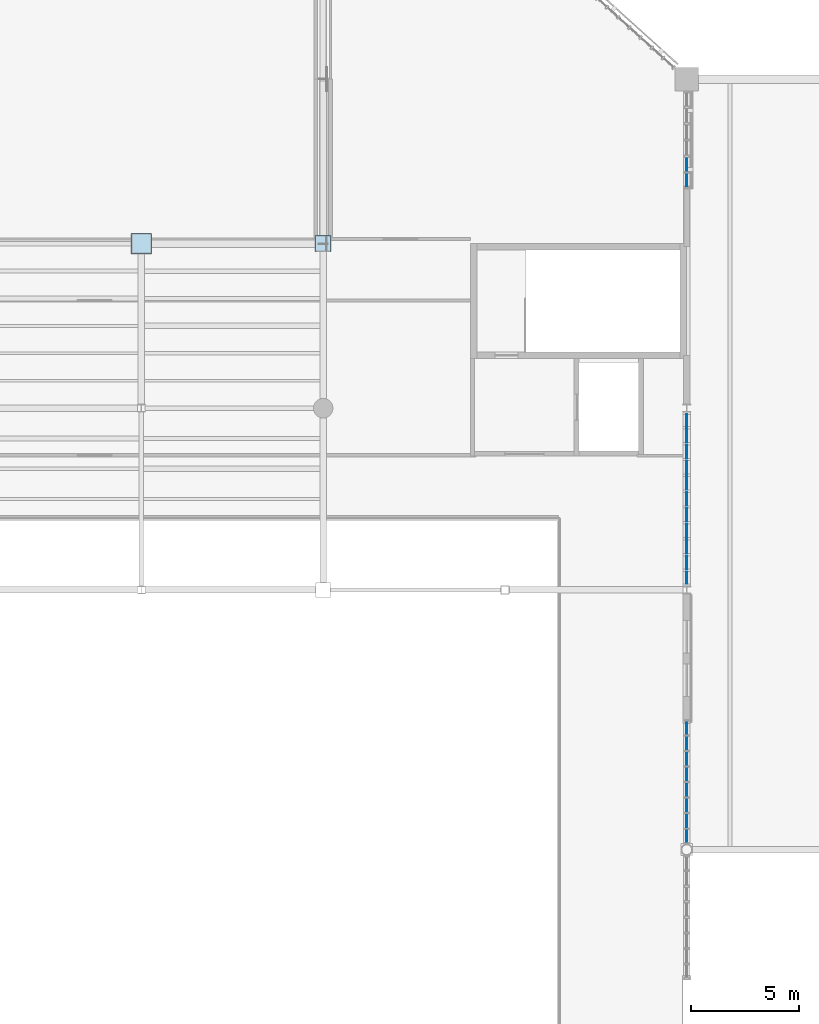
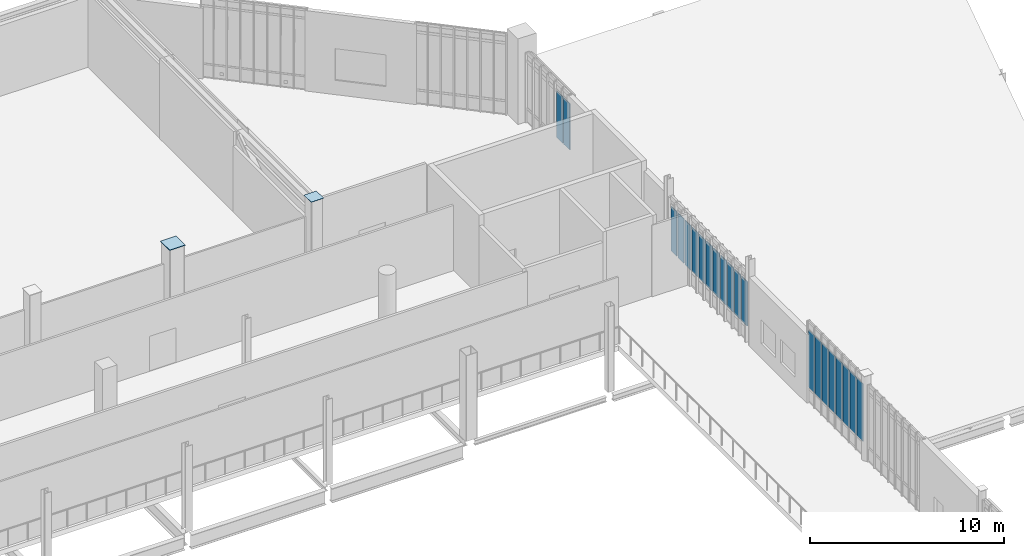
# One storey, part 82 of 135: 23 plates, 3 elements without a shape of their own.
"""IFC4 building model written with IfcOpenShell, lengths in metres."""

from ifc_helpers import new_model, si_unit, direction, frame, origin, origin_2d, place, context, subcontext, project, spatial, rectangle, extrude, material, layer, layer_set, type_object, element, aggregate, save


model = new_model("IFC4")

# Units and contexts
model_context = context("Model", 3, precision=1e-05, world=origin(), true_north=direction((0.0, 1.0)))
body_context = subcontext(model_context, "Body", "Model", "MODEL_VIEW")
ifc_project = project(units=[si_unit("LENGTHUNIT", "METRE"), si_unit("AREAUNIT", "SQUARE_METRE"), si_unit("VOLUMEUNIT", "CUBIC_METRE"), si_unit("PLANEANGLEUNIT", "RADIAN"), si_unit("MASSUNIT", "GRAM", prefix="KILO")], contexts=[model_context])

# Site, building, storey
site_placement = place(None, origin())
site = spatial("IfcSite", under=ifc_project, at=site_placement, CompositionType="ELEMENT")
building_placement = place(site_placement, origin())
building = spatial("IfcBuilding", under=site, at=building_placement, Name="Larkvane Passage Sports Hall", CompositionType="ELEMENT")
storey_placement = place(building_placement, frame((0.0, 0.0, 16.800048828125)))
storey = spatial("IfcBuildingStorey", under=building, at=storey_placement, Name="L03", CompositionType="ELEMENT", Elevation=16.800048828125)

# Curtain wall, plates
ifc_material_1 = material(Name="Thermally broken aluminium and low-E glazing", Category="aluminium")
curtain_wall_type_1 = type_object("IfcCurtainWallType", Name="CW-UNIT-COURT", PredefinedType="USERDEFINED", material=ifc_material_1)
curtain_wall_1_placement = place(storey_placement, origin())
curtain_wall_1 = element("IfcCurtainWall", 1, at=curtain_wall_1_placement, inside=storey, type_object=curtain_wall_type_1, Name="Curtain wall CW5-L03-144", ObjectType="UNITISED CURTAIN WALL", PredefinedType="USERDEFINED")
ifc_material_2 = material(Name="Solar-control low-E double glazing", Category="glass")
ifc_layer_1 = layer(ifc_material_2, 0.028076171875)
ifc_layer_set_1 = layer_set([ifc_layer_1], Name="Solar-control low-E double glazing")
plate_type_1 = type_object("IfcPlateType", Name="CWP-VIS-28", PredefinedType="CURTAIN_PANEL", material=ifc_layer_set_1)
plate_1_placement = place(storey_placement, frame((93.60009765625, 69.224365234375, 0.88232421875), z_axis=(0.0, 0.0, 1.0), x_axis=(0.0, -1.0, 0.0)))
plate_1 = element("IfcPlate", 2, at=plate_1_placement, type_object=plate_type_1, Name="CW-01 panel 1.2", PredefinedType="CURTAIN_PANEL", context=body_context, shape_type="SweptSolid", body=[
    extrude(rectangle(XDim=0.621337890625, YDim=0.028076171875, at=origin_2d()), origin(), (0.0, 0.0, 1.0), 3.635009765625),
])
plate_2_placement = place(storey_placement, frame((93.60009765625, 68.52197265625, 0.88232421875), z_axis=(0.0, 0.0, 1.0), x_axis=(0.0, -1.0, 0.0)))
plate_2 = element("IfcPlate", 3, at=plate_2_placement, type_object=plate_type_1, Name="CW-01 panel 2.2", PredefinedType="CURTAIN_PANEL", context=body_context, shape_type="SweptSolid", body=[
    extrude(rectangle(XDim=0.65380859375, YDim=0.028076171875, at=origin_2d()), origin(), (0.0, 0.0, 1.0), 3.635009765625),
])
plate_3_placement = place(storey_placement, frame((93.60009765625, 67.80322265625, 0.88232421875), z_axis=(0.0, 0.0, 1.0), x_axis=(0.0, -1.0, 0.0)))
plate_3 = element("IfcPlate", 4, at=plate_3_placement, type_object=plate_type_1, Name="CW-01 panel 3.2", PredefinedType="CURTAIN_PANEL", context=body_context, shape_type="SweptSolid", body=[
    extrude(rectangle(XDim=0.65380859375, YDim=0.028076171875, at=origin_2d()), origin(), (0.0, 0.0, 1.0), 3.635009765625),
])
plate_4_placement = place(storey_placement, frame((93.60009765625, 67.08447265625, 0.88232421875), z_axis=(0.0, 0.0, 1.0), x_axis=(0.0, -1.0, 0.0)))
plate_4 = element("IfcPlate", 5, at=plate_4_placement, type_object=plate_type_1, Name="CW-01 panel 4.2", PredefinedType="CURTAIN_PANEL", context=body_context, shape_type="SweptSolid", body=[
    extrude(rectangle(XDim=0.65380859375, YDim=0.028076171875, at=origin_2d()), origin(), (0.0, 0.0, 1.0), 3.635009765625),
])
plate_5_placement = place(storey_placement, frame((93.60009765625, 66.36572265625, 0.88232421875), z_axis=(0.0, 0.0, 1.0), x_axis=(0.0, -1.0, 0.0)))
plate_5 = element("IfcPlate", 6, at=plate_5_placement, type_object=plate_type_1, Name="CW-01 panel 5.2", PredefinedType="CURTAIN_PANEL", context=body_context, shape_type="SweptSolid", body=[
    extrude(rectangle(XDim=0.65380859375, YDim=0.028076171875, at=origin_2d()), origin(), (0.0, 0.0, 1.0), 3.635009765625),
])
plate_6_placement = place(storey_placement, frame((93.60009765625, 65.64697265625, 0.88232421875), z_axis=(0.0, 0.0, 1.0), x_axis=(0.0, -1.0, 0.0)))
plate_6 = element("IfcPlate", 7, at=plate_6_placement, type_object=plate_type_1, Name="CW-01 panel 6.2", PredefinedType="CURTAIN_PANEL", context=body_context, shape_type="SweptSolid", body=[
    extrude(rectangle(XDim=0.65380859375, YDim=0.028076171875, at=origin_2d()), origin(), (0.0, 0.0, 1.0), 3.635009765625),
])
plate_7_placement = place(storey_placement, frame((93.60009765625, 64.92822265625, 0.88232421875), z_axis=(0.0, 0.0, 1.0), x_axis=(0.0, -1.0, 0.0)))
plate_7 = element("IfcPlate", 8, at=plate_7_placement, type_object=plate_type_1, Name="CW-01 panel 7.2", PredefinedType="CURTAIN_PANEL", context=body_context, shape_type="SweptSolid", body=[
    extrude(rectangle(XDim=0.65380859375, YDim=0.028076171875, at=origin_2d()), origin(), (0.0, 0.0, 1.0), 3.635009765625),
])
plate_8_placement = place(storey_placement, frame((93.60009765625, 64.2255859375, 0.88232421875), z_axis=(0.0, 0.0, 1.0), x_axis=(0.0, -1.0, 0.0)))
plate_8 = element("IfcPlate", 9, at=plate_8_placement, type_object=plate_type_1, Name="CW-01 panel 8.2", PredefinedType="CURTAIN_PANEL", context=body_context, shape_type="SweptSolid", body=[
    extrude(rectangle(XDim=0.621337890625, YDim=0.028076171875, at=origin_2d()), origin(), (0.0, 0.0, 1.0), 3.635009765625),
])
aggregate(curtain_wall_1, [plate_1, plate_2, plate_3, plate_4, plate_5, plate_6, plate_7, plate_8])

curtain_wall_type_2 = type_object("IfcCurtainWallType", Name="CW-STICK-FOYER", PredefinedType="USERDEFINED", material=ifc_material_1)
curtain_wall_2_placement = place(storey_placement, origin())
curtain_wall_2 = element("IfcCurtainWall", 10, at=curtain_wall_2_placement, inside=storey, type_object=curtain_wall_type_2, Name="Curtain wall CW5-L03-142", ObjectType="STICK CURTAIN WALL", PredefinedType="USERDEFINED")
ifc_material_3 = material(Name="High-impact court low-E glazing", Category="glass")
ifc_layer_2 = layer(ifc_material_3, 0.035888671875)
ifc_layer_set_2 = layer_set([ifc_layer_2], Name="High-impact court low-E glazing")
plate_type_2 = type_object("IfcPlateType", Name="CWP-VIS-36", PredefinedType="CURTAIN_PANEL", material=ifc_layer_set_2)
plate_9_placement = place(storey_placement, frame((93.60009765625, 95.263427734375, 0.89013671875), z_axis=(0.0, 0.0, 1.0), x_axis=(0.0, -1.0, 0.0)))
plate_9 = element("IfcPlate", 11, at=plate_9_placement, type_object=plate_type_2, Name="CW-03 panel 5.2", PredefinedType="CURTAIN_PANEL", context=body_context, shape_type="SweptSolid", body=[
    extrude(rectangle(XDim=0.67333984375, YDim=0.035888671875, at=origin_2d()), origin(), (0.0, 0.0, 1.0), 2.927978515625),
])
plate_10_placement = place(storey_placement, frame((93.60009765625, 94.530029296875, 0.89013671875), z_axis=(0.0, 0.0, 1.0), x_axis=(0.0, -1.0, 0.0)))
plate_10 = element("IfcPlate", 12, at=plate_10_placement, type_object=plate_type_2, Name="CW-03 panel 6.2", PredefinedType="CURTAIN_PANEL", context=body_context, shape_type="SweptSolid", body=[
    extrude(rectangle(XDim=0.633544921875, YDim=0.035888671875, at=origin_2d()), origin(), (0.0, 0.0, 1.0), 2.927978515625),
])
aggregate(curtain_wall_2, [plate_9, plate_10])

curtain_wall_type_3 = type_object("IfcCurtainWallType", Name="CW-CLINIC", PredefinedType="USERDEFINED", material=ifc_material_1)
curtain_wall_3_placement = place(storey_placement, origin())
curtain_wall_3 = element("IfcCurtainWall", 13, at=curtain_wall_3_placement, inside=storey, type_object=curtain_wall_type_3, Name="Curtain wall CW5-L03-143", ObjectType="UNITISED CURTAIN WALL", PredefinedType="USERDEFINED")
ifc_material_4 = material(Name="Triple-laminated typhoon glazing", Category="glass")
ifc_layer_3 = layer(ifc_material_4, 0.0419921875)
ifc_layer_set_3 = layer_set([ifc_layer_3], Name="Triple-laminated typhoon glazing")
plate_type_3 = type_object("IfcPlateType", Name="CWP-VIS-42", PredefinedType="CURTAIN_PANEL", material=ifc_layer_set_3)
plate_11_placement = place(storey_placement, frame((93.60009765625, 83.435302734375, 0.90478515625), z_axis=(0.0, 0.0, 1.0), x_axis=(0.0, -1.0, 0.0)))
plate_11 = element("IfcPlate", 14, at=plate_11_placement, type_object=plate_type_3, Name="CW-05 panel 1.2", PredefinedType="CURTAIN_PANEL", context=body_context, shape_type="SweptSolid", body=[
    extrude(rectangle(XDim=0.567626953125, YDim=0.0419921875, at=origin_2d()), origin(), (0.0, 0.0, 1.0), 2.805908203125),
])
plate_12_placement = place(storey_placement, frame((93.60009765625, 82.730224609375, 0.90478515625), z_axis=(0.0, 0.0, 1.0), x_axis=(0.0, -1.0, 0.0)))
plate_12 = element("IfcPlate", 15, at=plate_12_placement, type_object=plate_type_3, Name="CW-05 panel 2.2", PredefinedType="CURTAIN_PANEL", context=body_context, shape_type="SweptSolid", body=[
    extrude(rectangle(XDim=0.62255859375, YDim=0.0419921875, at=origin_2d()), origin(), (0.0, 0.0, 1.0), 2.805908203125),
])
plate_13_placement = place(storey_placement, frame((93.60009765625, 81.99755859375, 0.90478515625), z_axis=(0.0, 0.0, 1.0), x_axis=(0.0, -1.0, 0.0)))
plate_13 = element("IfcPlate", 16, at=plate_13_placement, type_object=plate_type_3, Name="CW-05 panel 3.2", PredefinedType="CURTAIN_PANEL", context=body_context, shape_type="SweptSolid", body=[
    extrude(rectangle(XDim=0.62255859375, YDim=0.0419921875, at=origin_2d()), origin(), (0.0, 0.0, 1.0), 2.805908203125),
])
plate_14_placement = place(storey_placement, frame((93.60009765625, 81.26513671875, 0.90478515625), z_axis=(0.0, 0.0, 1.0), x_axis=(0.0, -1.0, 0.0)))
plate_14 = element("IfcPlate", 17, at=plate_14_placement, type_object=plate_type_3, Name="CW-05 panel 4.2", PredefinedType="CURTAIN_PANEL", context=body_context, shape_type="SweptSolid", body=[
    extrude(rectangle(XDim=0.62255859375, YDim=0.0419921875, at=origin_2d()), origin(), (0.0, 0.0, 1.0), 2.805908203125),
])
plate_15_placement = place(storey_placement, frame((93.60009765625, 80.532470703125, 0.90478515625), z_axis=(0.0, 0.0, 1.0), x_axis=(0.0, -1.0, 0.0)))
plate_15 = element("IfcPlate", 18, at=plate_15_placement, type_object=plate_type_3, Name="CW-05 panel 5.2", PredefinedType="CURTAIN_PANEL", context=body_context, shape_type="SweptSolid", body=[
    extrude(rectangle(XDim=0.62255859375, YDim=0.0419921875, at=origin_2d()), origin(), (0.0, 0.0, 1.0), 2.805908203125),
])
plate_16_placement = place(storey_placement, frame((93.60009765625, 79.800048828125, 0.90478515625), z_axis=(0.0, 0.0, 1.0), x_axis=(0.0, -1.0, 0.0)))
plate_16 = element("IfcPlate", 19, at=plate_16_placement, type_object=plate_type_3, Name="CW-05 panel 6.2", PredefinedType="CURTAIN_PANEL", context=body_context, shape_type="SweptSolid", body=[
    extrude(rectangle(XDim=0.62255859375, YDim=0.0419921875, at=origin_2d()), origin(), (0.0, 0.0, 1.0), 2.805908203125),
])
plate_17_placement = place(storey_placement, frame((93.60009765625, 79.0673828125, 0.90478515625), z_axis=(0.0, 0.0, 1.0), x_axis=(0.0, -1.0, 0.0)))
plate_17 = element("IfcPlate", 20, at=plate_17_placement, type_object=plate_type_3, Name="CW-05 panel 7.2", PredefinedType="CURTAIN_PANEL", context=body_context, shape_type="SweptSolid", body=[
    extrude(rectangle(XDim=0.62255859375, YDim=0.0419921875, at=origin_2d()), origin(), (0.0, 0.0, 1.0), 2.805908203125),
])
plate_18_placement = place(storey_placement, frame((93.60009765625, 78.3349609375, 0.90478515625), z_axis=(0.0, 0.0, 1.0), x_axis=(0.0, -1.0, 0.0)))
plate_18 = element("IfcPlate", 21, at=plate_18_placement, type_object=plate_type_3, Name="CW-05 panel 8.2", PredefinedType="CURTAIN_PANEL", context=body_context, shape_type="SweptSolid", body=[
    extrude(rectangle(XDim=0.62255859375, YDim=0.0419921875, at=origin_2d()), origin(), (0.0, 0.0, 1.0), 2.805908203125),
])
plate_19_placement = place(storey_placement, frame((93.60009765625, 77.602294921875, 0.90478515625), z_axis=(0.0, 0.0, 1.0), x_axis=(0.0, -1.0, 0.0)))
plate_19 = element("IfcPlate", 22, at=plate_19_placement, type_object=plate_type_3, Name="CW-05 panel 9.2", PredefinedType="CURTAIN_PANEL", context=body_context, shape_type="SweptSolid", body=[
    extrude(rectangle(XDim=0.62255859375, YDim=0.0419921875, at=origin_2d()), origin(), (0.0, 0.0, 1.0), 2.805908203125),
])
plate_20_placement = place(storey_placement, frame((93.60009765625, 76.869873046875, 0.90478515625), z_axis=(0.0, 0.0, 1.0), x_axis=(0.0, -1.0, 0.0)))
plate_20 = element("IfcPlate", 23, at=plate_20_placement, type_object=plate_type_3, Name="CW-05 panel 10.2", PredefinedType="CURTAIN_PANEL", context=body_context, shape_type="SweptSolid", body=[
    extrude(rectangle(XDim=0.62255859375, YDim=0.0419921875, at=origin_2d()), origin(), (0.0, 0.0, 1.0), 2.805908203125),
])
plate_21_placement = place(storey_placement, frame((93.60009765625, 76.164794921875, 0.90478515625), z_axis=(0.0, 0.0, 1.0), x_axis=(0.0, -1.0, 0.0)))
plate_21 = element("IfcPlate", 24, at=plate_21_placement, type_object=plate_type_3, Name="CW-05 panel 11.2", PredefinedType="CURTAIN_PANEL", context=body_context, shape_type="SweptSolid", body=[
    extrude(rectangle(XDim=0.567626953125, YDim=0.0419921875, at=origin_2d()), origin(), (0.0, 0.0, 1.0), 2.805908203125),
])
aggregate(curtain_wall_3, [plate_11, plate_12, plate_13, plate_14, plate_15, plate_16, plate_17, plate_18, plate_19, plate_20, plate_21])

# Plates
ifc_material_5 = material(Name="Steel S460N", Category="steel")
ifc_layer_4 = layer(ifc_material_5, 0.028076171875)
ifc_layer_set_4 = layer_set([ifc_layer_4], Name="Steel S460N")
plate_type_4 = type_object("IfcPlateType", Name="PLT-CAP-28", PredefinedType="SHEET", material=ifc_layer_set_4)
plate_22_placement = place(storey_placement, frame((76.800048828125, 91.60009765625, 5.39990234375), z_axis=(0.0, 0.0, 1.0), x_axis=(1.0, 0.0, 0.0)))
element("IfcPlate", 25, at=plate_22_placement, inside=storey, type_object=plate_type_4, Name="Hollow section sealed end cap plate 0016", PredefinedType="SHEET", context=body_context, shape_type="SweptSolid", body=[
    extrude(rectangle(XDim=0.739990234375, YDim=0.739990234375, at=origin_2d()), origin(), (0.0, 0.0, 1.0), 0.028076171875),
])
ifc_layer_5 = layer(ifc_material_5, 0.035888671875)
ifc_layer_set_5 = layer_set([ifc_layer_5], Name="Steel S460N")
plate_type_5 = type_object("IfcPlateType", Name="PLT-CAP-36", PredefinedType="SHEET", material=ifc_layer_set_5)
plate_23_placement = place(storey_placement, frame((68.39990234375, 91.60009765625, 5.39990234375), z_axis=(0.0, 0.0, 1.0), x_axis=(1.0, 0.0, 0.0)))
element("IfcPlate", 26, at=plate_23_placement, inside=storey, type_object=plate_type_5, Name="Hollow section sealed end cap plate 0015", PredefinedType="SHEET", context=body_context, shape_type="SweptSolid", body=[
    extrude(rectangle(XDim=0.93994140625, YDim=0.93994140625, at=origin_2d()), origin(), (0.0, 0.0, 1.0), 0.035888671875),
])

save(model, "model.ifc")
